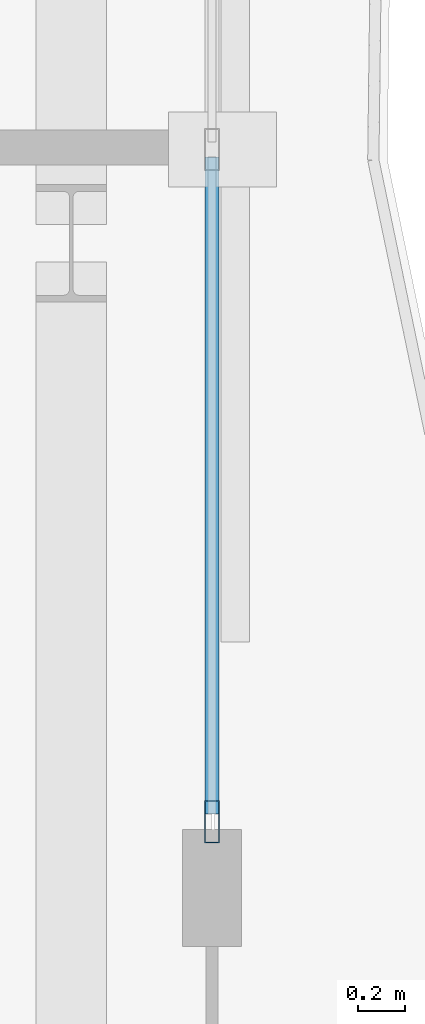
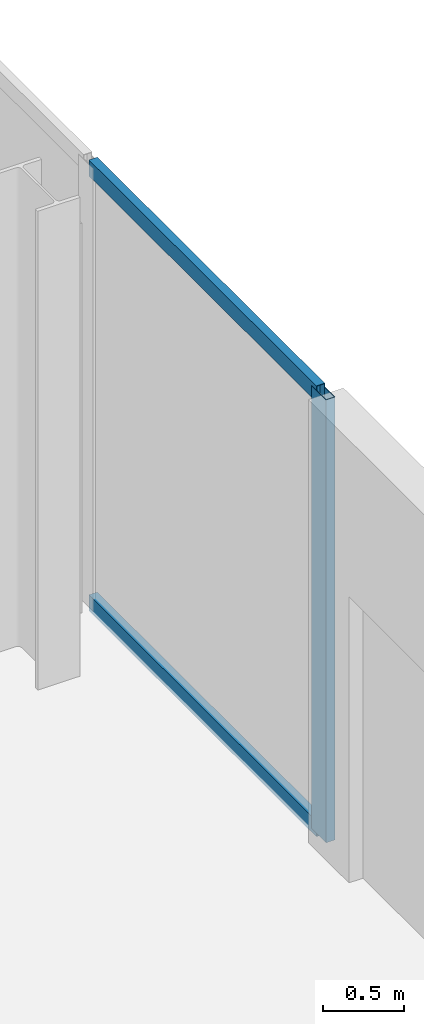
# One storey, part 14 of 24: 3 members, 1 element without a shape of its own.
"""IFC4 building model written with IfcOpenShell, lengths in metres."""

from ifc_helpers import new_model, si_unit, direction, frame, origin, origin_2d, place, context, subcontext, project, spatial, hollow_rectangle, extrude, material, layer, layer_set, material_profile, profile_set, type_object, element, aggregate, save


model = new_model("IFC4")

# Units and contexts
model_context = context("Model", 3, precision=1e-05, world=origin(), true_north=direction((0.0, 1.0)))
body_context = subcontext(model_context, "Body", "Model", "MODEL_VIEW")
ifc_project = project(units=[si_unit("LENGTHUNIT", "METRE"), si_unit("AREAUNIT", "SQUARE_METRE"), si_unit("VOLUMEUNIT", "CUBIC_METRE"), si_unit("PLANEANGLEUNIT", "RADIAN"), si_unit("MASSUNIT", "GRAM", prefix="KILO")], contexts=[model_context])

# Site, building, storey
site_placement = place(None, origin())
site = spatial("IfcSite", under=ifc_project, at=site_placement, CompositionType="ELEMENT")
building_placement = place(site_placement, origin())
building = spatial("IfcBuilding", under=site, at=building_placement, Name="Catumbela Crestline Tower", CompositionType="ELEMENT")
storey_placement = place(building_placement, frame((0.0, 0.0, 154.2)))
storey = spatial("IfcBuildingStorey", under=building, at=storey_placement, Name="L39", CompositionType="ELEMENT", Elevation=154.2)

# Curtain wall, members
ifc_material = material(Name="Aluminium alloy AW-6060-T66", Category="aluminium")
ifc_layer = layer(ifc_material, 0.18, Name="Aluminium alloy AW-6060-T66")
ifc_layer_set = layer_set([ifc_layer], Name="Aluminium alloy AW-6060-T66")
curtain_wall_type = type_object("IfcCurtainWallType", Name="CWU-Z3", PredefinedType="USERDEFINED", material=ifc_layer_set)
curtain_wall_placement = place(storey_placement, origin())
curtain_wall = element("IfcCurtainWall", 1, at=curtain_wall_placement, inside=storey, type_object=curtain_wall_type, Name="L39 Unitised Curtain Wall CW-L39-E5S2", ObjectType="UNITISED", PredefinedType="USERDEFINED")
ifc_material_profile_1 = material_profile(ifc_material, hollow_rectangle(XDim=0.065, YDim=0.18, WallThickness=0.004, at=origin_2d()), Name="ALU 180x65x4")
ifc_profile_set_1 = profile_set([ifc_material_profile_1], Name="Aluminium alloy AW-6060-T66")
member_type_1 = type_object("IfcMemberType", Name="MUL-180X65", PredefinedType="MULLION", material=ifc_profile_set_1)
member_1_placement = place(storey_placement, frame((51.0, 33.7325, 0.0), z_axis=(0.0, 0.0, 1.0), x_axis=(-1.0, 0.0, 0.0)))
member_1 = element("IfcMember", 2, at=member_1_placement, type_object=member_type_1, Name="CWU-Z3 mullion 1", PredefinedType="MULLION", context=body_context, shape_type="SweptSolid", body=[
    extrude(hollow_rectangle(XDim=0.065, YDim=0.18, WallThickness=0.004, at=origin_2d()), origin(), (0.0, 0.0, 1.0), 3.33),
])
ifc_material_profile_2 = material_profile(ifc_material, hollow_rectangle(XDim=0.06, YDim=0.12, WallThickness=0.0035, at=origin_2d()), Name="ALU 120x60x3.5")
ifc_profile_set_2 = profile_set([ifc_material_profile_2], Name="Aluminium alloy AW-6060-T66")
member_type_2 = type_object("IfcMemberType", Name="TRN-120X60", PredefinedType="USERDEFINED", material=ifc_profile_set_2)
member_2_placement = place(storey_placement, frame((51.0, 33.765, 0.03), z_axis=(0.0, 1.0, 0.0), x_axis=(-1.0, 0.0, 0.0)))
member_2 = element("IfcMember", 3, at=member_2_placement, type_object=member_type_2, Name="CWU-Z3 transom 1.1", ObjectType="TRANSOM", PredefinedType="USERDEFINED", context=body_context, shape_type="SweptSolid", body=[
    extrude(hollow_rectangle(XDim=0.06, YDim=0.12, WallThickness=0.0035, at=origin_2d()), origin(), (0.0, 0.0, 1.0), 2.8025),
])
member_3_placement = place(storey_placement, frame((51.0, 33.765, 3.3), z_axis=(0.0, 1.0, 0.0), x_axis=(-1.0, 0.0, 0.0)))
member_3 = element("IfcMember", 4, at=member_3_placement, type_object=member_type_2, Name="CWU-Z3 transom 1.2", ObjectType="TRANSOM", PredefinedType="USERDEFINED", context=body_context, shape_type="SweptSolid", body=[
    extrude(hollow_rectangle(XDim=0.06, YDim=0.12, WallThickness=0.0035, at=origin_2d()), origin(), (0.0, 0.0, 1.0), 2.8025),
])
aggregate(curtain_wall, [member_1, member_2, member_3])

save(model, "model.ifc")
